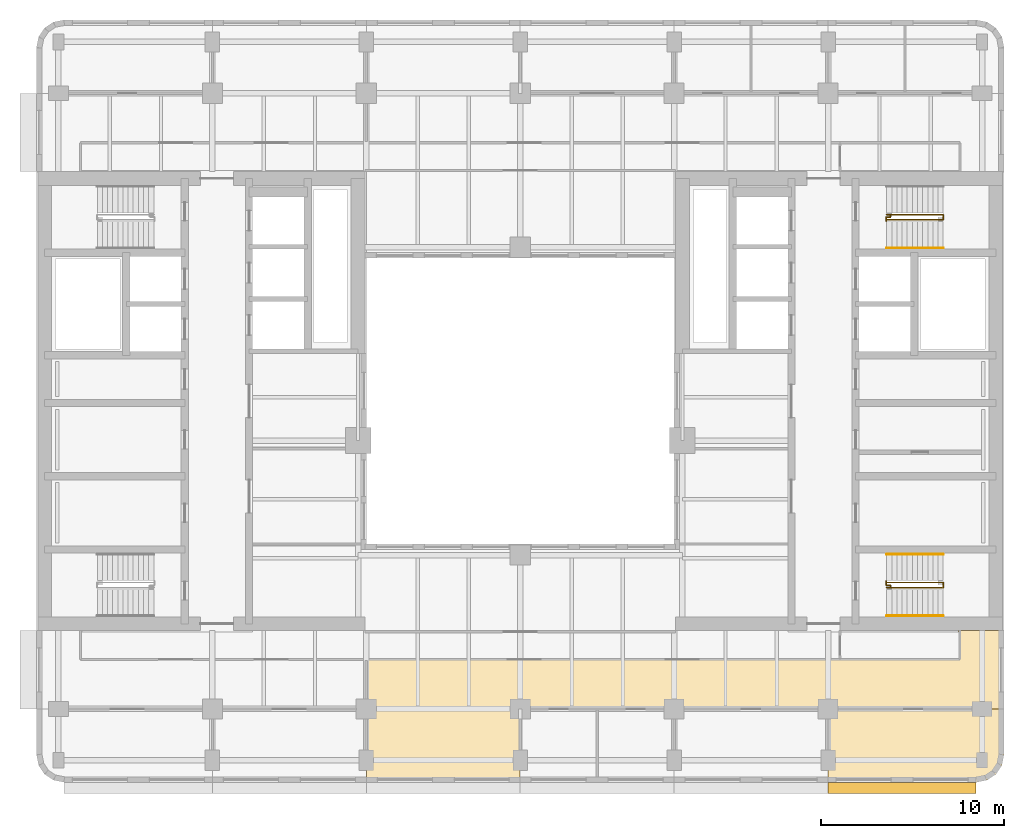
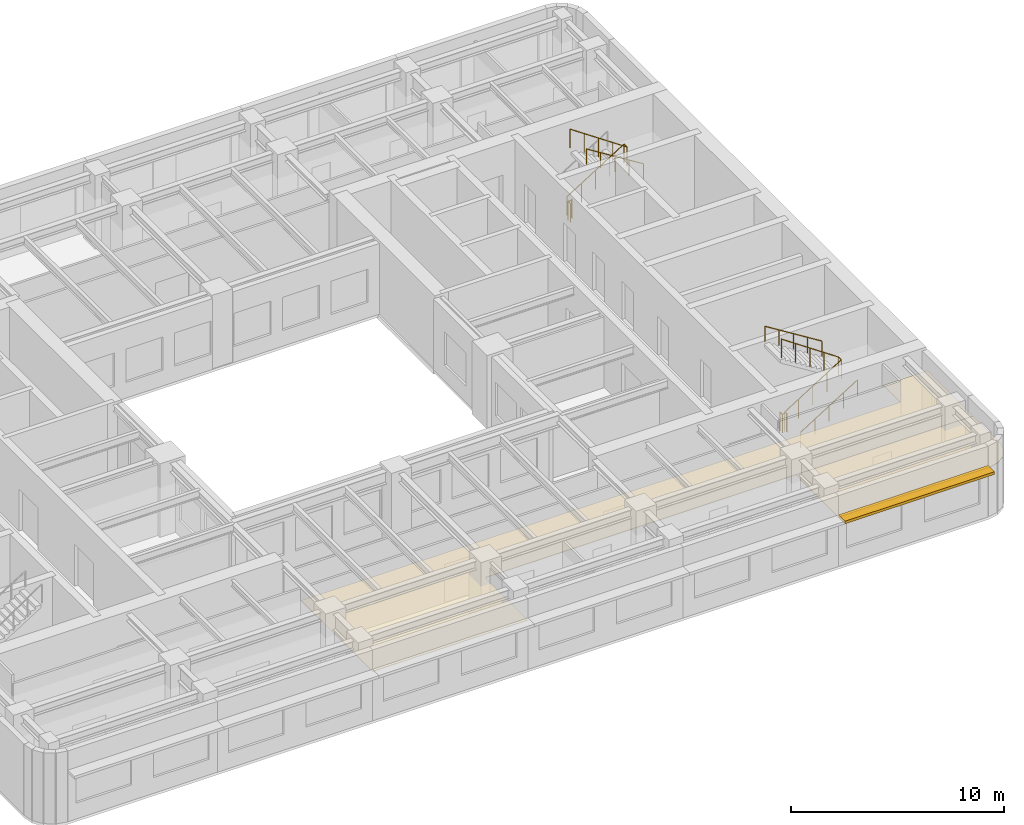
# One storey, part 10 of 11: 7 railings, 2 coverings, 1 shading device.
"""IFC4 building model written with IfcOpenShell, lengths in metres."""

from ifc_helpers import new_model, si_unit, direction, frame, origin, origin_2d, place, context, subcontext, project, spatial, polyline, rectangle, circle, outline, extrude, material, layer, layer_set, type_object, element, save


model = new_model("IFC4")

# Units and contexts
model_context = context("Model", 3, precision=1e-05, world=origin(), true_north=direction((0.0, 1.0)))
body_context = subcontext(model_context, "Body", "Model", "MODEL_VIEW")
ifc_project = project(units=[si_unit("LENGTHUNIT", "METRE"), si_unit("AREAUNIT", "SQUARE_METRE"), si_unit("VOLUMEUNIT", "CUBIC_METRE"), si_unit("PLANEANGLEUNIT", "RADIAN"), si_unit("MASSUNIT", "GRAM", prefix="KILO")], contexts=[model_context])

# Site, building, storey
site_placement = place(None, origin())
site = spatial("IfcSite", under=ifc_project, at=site_placement, CompositionType="ELEMENT")
building_placement = place(site_placement, origin())
building = spatial("IfcBuilding", under=site, at=building_placement, Name="Claustro Exchange Tower", CompositionType="ELEMENT")
storey_placement = place(building_placement, frame((0.0, 0.0, 236.39990234375)))
storey = spatial("IfcBuildingStorey", under=building, at=storey_placement, Name="L54", CompositionType="ELEMENT", Elevation=236.39990234375)

# Coverings
ifc_material_1 = material(Name="Gypsum board ceiling", Category="gypsum board")
ifc_layer_1 = layer(ifc_material_1, 0.02490234375)
ifc_layer_set_1 = layer_set([ifc_layer_1], Name="Gypsum board ceiling")
covering_type = type_object("IfcCoveringType", Name="CL2 plasterboard ceiling", PredefinedType="CEILING", material=ifc_layer_set_1)
covering_1_placement = place(storey_placement, frame((0.0, 0.0, 2.800048828125)))
element("IfcCovering", 1, at=covering_1_placement, inside=storey, type_object=covering_type, Name="Ceiling CL2 L54-06", PredefinedType="CEILING", context=body_context, shape_type="SweptSolid", body=[
    extrude(outline(polyline([(51.60009765625, 5.89990234375), (51.60009765625, 8.39990234375), (42.0, 8.39990234375), (42.0, 4.39990234375), (50.10009765625, 4.39990234375), (50.674072265625, 4.51416015625), (51.16064453125, 4.83935546875), (51.48583984375, 5.325927734375), (51.60009765625, 5.89990234375)])), origin(), (0.0, 0.0, 1.0), 0.025146484375),
])
covering_2_placement = place(storey_placement, frame((0.0, 0.0, 2.800048828125)))
element("IfcCovering", 2, at=covering_2_placement, inside=storey, type_object=covering_type, Name="Ceiling CL2 L54-07", PredefinedType="CEILING", context=body_context, shape_type="SweptSolid", body=[
    extrude(outline(polyline([(51.60009765625, 8.39990234375), (51.60009765625, 12.695068359375), (51.52490234375, 12.695068359375), (51.52490234375, 12.675048828125), (49.10498046875, 12.675048828125), (49.10498046875, 12.60009765625), (49.199951171875, 12.60009765625), (49.199951171875, 11.10009765625), (16.800048828125, 11.10009765625), (16.800048828125, 4.39990234375), (25.199951171875, 4.39990234375), (25.199951171875, 8.39990234375), (51.60009765625, 8.39990234375)])), origin(), (0.0, 0.0, 1.0), 0.025146484375),
])

# Railings
ifc_material_2 = material(Name="Steel balustrade, painted", Category="steel")
railing_type_1 = type_object("IfcRailingType", Name="GR2 1100 steel stair guard", PredefinedType="GUARDRAIL", material=ifc_material_2)
railing_1_placement = place(storey_placement, frame((45.199951171875, 15.02490234375, 0.175048828125)))
element("IfcRailing", 3, at=railing_1_placement, inside=storey, type_object=railing_type_1, Name="Stair well guard GR2 stair STEA L54", PredefinedType="GUARDRAIL", context=body_context, shape_type="SweptSolid", body=[
    extrude(circle(Radius=0.02392578125, at=origin_2d()), frame((0.0, 0.0, 1.076171875), z_axis=(0.847998304005, 0.0, 0.529998940003), x_axis=(0.0, 1.0, 0.0)), (0.0, 0.0, 1.0), 3.632080078125),
    extrude(circle(Radius=0.02392578125, at=origin_2d()), frame((3.080078125, 0.0, 3.0009765625), z_axis=(0.0, 1.0, 0.0), x_axis=(-1.0, 0.0, 0.0)), (0.0, 0.0, 1.0), 0.275146484375),
    extrude(circle(Radius=0.02392578125, at=origin_2d()), frame((3.080078125, 0.275146484375, 3.0009765625), z_axis=(-0.826221800596, 0.0, 0.563344953133), x_axis=(0.0, -1.0, 0.0)), (0.0, 0.0, 1.0), 3.72802734375),
    extrude(circle(Radius=0.02099609375, at=origin_2d()), origin(), (0.0, 0.0, 1.0), 1.052001953125),
    extrude(circle(Radius=0.02099609375, at=origin_2d()), frame((0.77001953125, 0.0, 0.481201171875)), (0.0, 0.0, 1.0), 1.052001953125),
    extrude(circle(Radius=0.02099609375, at=origin_2d()), frame((1.5400390625, 0.0, 0.96240234375)), (0.0, 0.0, 1.0), 1.052001953125),
    extrude(circle(Radius=0.02099609375, at=origin_2d()), frame((2.31005859375, 0.0, 1.44384765625)), (0.0, 0.0, 1.0), 1.052001953125),
    extrude(circle(Radius=0.02099609375, at=origin_2d()), frame((3.080078125, 0.0, 1.925048828125)), (0.0, 0.0, 1.0), 1.052001953125),
    extrude(circle(Radius=0.02099609375, at=origin_2d()), frame((3.080078125, 0.275146484375, 1.925048828125)), (0.0, 0.0, 1.0), 1.052001953125),
    extrude(circle(Radius=0.02099609375, at=origin_2d()), frame((2.31005859375, 0.275146484375, 2.4501953125)), (0.0, 0.0, 1.0), 1.052001953125),
    extrude(circle(Radius=0.02099609375, at=origin_2d()), frame((1.5400390625, 0.275146484375, 2.97509765625)), (0.0, 0.0, 1.0), 1.052001953125),
    extrude(circle(Radius=0.02099609375, at=origin_2d()), frame((0.77001953125, 0.275146484375, 3.5)), (0.0, 0.0, 1.0), 1.052001953125),
    extrude(circle(Radius=0.02099609375, at=origin_2d()), frame((0.0, 0.275146484375, 4.025146484375)), (0.0, 0.0, 1.0), 1.052001953125),
])
railing_2_placement = place(storey_placement, frame((45.39990234375, 15.094970703125, 0.0)))
element("IfcRailing", 4, at=railing_2_placement, inside=storey, type_object=railing_type_1, Name="Stair guard GR2 STEA L54", PredefinedType="GUARDRAIL", context=body_context, shape_type="SweptSolid", body=[
    extrude(circle(Radius=0.02392578125, at=origin_2d()), frame((0.0, 0.0, 1.076171875), z_axis=(0.0, 1.0, 0.0), x_axis=(-1.0, 0.0, 0.0)), (0.0, 0.0, 1.0), 0.067626953125),
    extrude(circle(Radius=0.02392578125, at=origin_2d()), frame((0.0, 0.067626953125, 1.076171875), z_axis=(-1.0, 0.0, 0.0), x_axis=(0.0, -1.0, 0.0)), (0.0, 0.0, 1.0), 0.224853515625),
    extrude(circle(Radius=0.02392578125, at=origin_2d()), frame((-0.224853515625, 0.067626953125, 1.076171875), z_axis=(0.0, 1.0, 0.0), x_axis=(-1.0, 0.0, 0.0)), (0.0, 0.0, 1.0), 0.21728515625),
    extrude(circle(Radius=0.02099609375, at=origin_2d()), origin(), (0.0, 0.0, 1.0), 1.052001953125),
    extrude(circle(Radius=0.02099609375, at=origin_2d()), frame((0.0, 0.067626953125, 0.0)), (0.0, 0.0, 1.0), 1.052001953125),
    extrude(circle(Radius=0.02099609375, at=origin_2d()), frame((-0.224853515625, 0.067626953125, 0.0)), (0.0, 0.0, 1.0), 1.052001953125),
    extrude(circle(Radius=0.02099609375, at=origin_2d()), frame((-0.224853515625, 0.284912109375, 0.0)), (0.0, 0.0, 1.0), 1.052001953125),
])
railing_3_placement = place(storey_placement, frame((45.199951171875, 35.375, 0.175048828125)))
element("IfcRailing", 5, at=railing_3_placement, inside=storey, type_object=railing_type_1, Name="Stair well guard GR2 stair STEB L54", PredefinedType="GUARDRAIL", context=body_context, shape_type="SweptSolid", body=[
    extrude(circle(Radius=0.02392578125, at=origin_2d()), frame((0.0, 0.0, 1.076171875), z_axis=(0.847998304005, 0.0, 0.529998940003), x_axis=(0.0, 1.0, 0.0)), (0.0, 0.0, 1.0), 3.632080078125),
    extrude(circle(Radius=0.02392578125, at=origin_2d()), frame((3.080078125, 0.0, 3.0009765625), z_axis=(0.0, -1.0, 0.0), x_axis=(1.0, 0.0, 0.0)), (0.0, 0.0, 1.0), 0.27490234375),
    extrude(circle(Radius=0.02392578125, at=origin_2d()), frame((3.080078125, -0.27490234375, 3.0009765625), z_axis=(-0.826221800596, 0.0, 0.563344953133), x_axis=(0.0, -1.0, 0.0)), (0.0, 0.0, 1.0), 3.72802734375),
    extrude(circle(Radius=0.02099609375, at=origin_2d()), origin(), (0.0, 0.0, 1.0), 1.052001953125),
    extrude(circle(Radius=0.02099609375, at=origin_2d()), frame((0.77001953125, 0.0, 0.481201171875)), (0.0, 0.0, 1.0), 1.052001953125),
    extrude(circle(Radius=0.02099609375, at=origin_2d()), frame((1.5400390625, 0.0, 0.96240234375)), (0.0, 0.0, 1.0), 1.052001953125),
    extrude(circle(Radius=0.02099609375, at=origin_2d()), frame((2.31005859375, 0.0, 1.44384765625)), (0.0, 0.0, 1.0), 1.052001953125),
    extrude(circle(Radius=0.02099609375, at=origin_2d()), frame((3.080078125, 0.0, 1.925048828125)), (0.0, 0.0, 1.0), 1.052001953125),
    extrude(circle(Radius=0.02099609375, at=origin_2d()), frame((3.080078125, -0.27490234375, 1.925048828125)), (0.0, 0.0, 1.0), 1.052001953125),
    extrude(circle(Radius=0.02099609375, at=origin_2d()), frame((2.31005859375, -0.27490234375, 2.4501953125)), (0.0, 0.0, 1.0), 1.052001953125),
    extrude(circle(Radius=0.02099609375, at=origin_2d()), frame((1.5400390625, -0.27490234375, 2.97509765625)), (0.0, 0.0, 1.0), 1.052001953125),
    extrude(circle(Radius=0.02099609375, at=origin_2d()), frame((0.77001953125, -0.27490234375, 3.5)), (0.0, 0.0, 1.0), 1.052001953125),
    extrude(circle(Radius=0.02099609375, at=origin_2d()), frame((0.0, -0.27490234375, 4.025146484375)), (0.0, 0.0, 1.0), 1.052001953125),
])
railing_4_placement = place(storey_placement, frame((45.39990234375, 35.304931640625, 0.0)))
element("IfcRailing", 6, at=railing_4_placement, inside=storey, type_object=railing_type_1, Name="Stair guard GR2 STEB L54", PredefinedType="GUARDRAIL", context=body_context, shape_type="SweptSolid", body=[
    extrude(circle(Radius=0.02392578125, at=origin_2d()), frame((0.0, 0.0, 1.076171875), z_axis=(0.0, -1.0, 0.0), x_axis=(1.0, 0.0, 0.0)), (0.0, 0.0, 1.0), 0.0673828125),
    extrude(circle(Radius=0.02392578125, at=origin_2d()), frame((0.0, -0.0673828125, 1.076171875), z_axis=(-1.0, 0.0, 0.0), x_axis=(0.0, -1.0, 0.0)), (0.0, 0.0, 1.0), 0.224853515625),
    extrude(circle(Radius=0.02392578125, at=origin_2d()), frame((-0.224853515625, -0.0673828125, 1.076171875), z_axis=(0.0, -1.0, 0.0), x_axis=(1.0, 0.0, 0.0)), (0.0, 0.0, 1.0), 0.217529296875),
    extrude(circle(Radius=0.02099609375, at=origin_2d()), origin(), (0.0, 0.0, 1.0), 1.052001953125),
    extrude(circle(Radius=0.02099609375, at=origin_2d()), frame((0.0, -0.0673828125, 0.0)), (0.0, 0.0, 1.0), 1.052001953125),
    extrude(circle(Radius=0.02099609375, at=origin_2d()), frame((-0.224853515625, -0.0673828125, 0.0)), (0.0, 0.0, 1.0), 1.052001953125),
    extrude(circle(Radius=0.02099609375, at=origin_2d()), frame((-0.224853515625, -0.284912109375, 0.0)), (0.0, 0.0, 1.0), 1.052001953125),
])
ifc_material_3 = material(Name="Stainless steel tube", Category="steel")
railing_type_2 = type_object("IfcRailingType", Name="HR1 900 stair handrail", PredefinedType="HANDRAIL", material=ifc_material_3)
railing_5_placement = place(storey_placement, frame((45.199951171875, 13.485107421875, 0.175048828125)))
element("IfcRailing", 7, at=railing_5_placement, inside=storey, type_object=railing_type_2, Name="Handrail HR1 stair STEA L54", PredefinedType="HANDRAIL", context=body_context, shape_type="SweptSolid", body=[
    extrude(circle(Radius=0.02392578125, at=origin_2d()), frame((0.0, 0.0, 0.8759765625), z_axis=(0.847998304005, 0.0, 0.529998940003), x_axis=(0.0, 1.0, 0.0)), (0.0, 0.0, 1.0), 3.632080078125),
    extrude(circle(Radius=0.02099609375, at=origin_2d()), origin(), (0.0, 0.0, 1.0), 0.851806640625),
    extrude(circle(Radius=0.02099609375, at=origin_2d()), frame((0.77001953125, 0.0, 0.481201171875)), (0.0, 0.0, 1.0), 0.851806640625),
    extrude(circle(Radius=0.02099609375, at=origin_2d()), frame((1.5400390625, 0.0, 0.96240234375)), (0.0, 0.0, 1.0), 0.851806640625),
    extrude(circle(Radius=0.02099609375, at=origin_2d()), frame((2.31005859375, 0.0, 1.44384765625)), (0.0, 0.0, 1.0), 0.851806640625),
    extrude(circle(Radius=0.02099609375, at=origin_2d()), frame((3.080078125, 0.0, 1.925048828125)), (0.0, 0.0, 1.0), 0.851806640625),
])
for number, where, name in (
    (8, (48.280029296875, 16.840087890625, 2.275146484375), "Handrail HR1 stair STEA L54"),
    (9, (48.280029296875, 33.56005859375, 2.275146484375), "Handrail HR1 stair STEB L54"),
):
    element("IfcRailing", number, at=place(storey_placement, frame(where)), inside=storey, type_object=railing_type_2, Name=name, PredefinedType="HANDRAIL", context=body_context, shape_type="SweptSolid", body=[
        extrude(circle(Radius=0.02392578125, at=origin_2d()), frame((0.0, 0.0, 0.8759765625), z_axis=(-0.847998304005, 0.0, 0.529998940003), x_axis=(0.0, -1.0, 0.0)), (0.0, 0.0, 1.0), 3.632080078125),
        extrude(circle(Radius=0.02099609375, at=origin_2d()), origin(), (0.0, 0.0, 1.0), 0.851806640625),
        extrude(circle(Radius=0.02099609375, at=origin_2d()), frame((-0.77001953125, 0.0, 0.481201171875)), (0.0, 0.0, 1.0), 0.851806640625),
        extrude(circle(Radius=0.02099609375, at=origin_2d()), frame((-1.5400390625, 0.0, 0.96240234375)), (0.0, 0.0, 1.0), 0.851806640625),
        extrude(circle(Radius=0.02099609375, at=origin_2d()), frame((-2.31005859375, 0.0, 1.44384765625)), (0.0, 0.0, 1.0), 0.851806640625),
        extrude(circle(Radius=0.02099609375, at=origin_2d()), frame((-3.080078125, 0.0, 1.925048828125)), (0.0, 0.0, 1.0), 0.851806640625),
    ])

# Shading device
ifc_material_4 = material(Name="Concrete HA-40 (C40/50), precast, white cement, acid-etched", Category="concrete")
ifc_layer_2 = layer(ifc_material_4, 0.14990234375)
ifc_layer_set_2 = layer_set([ifc_layer_2], Name="Concrete HA-40 (C40/50), precast, white cement, acid-etched")
shading_device_type = type_object("IfcShadingDeviceType", Name="SS1 600 precast concrete SUNSHADE", PredefinedType="SHUTTER", material=ifc_layer_set_2)
shading_device_placement = place(storey_placement, frame((46.04248046875, 4.10009765625, 2.800048828125), z_axis=(0.0, 0.0, 1.0), x_axis=(-1.0, 0.0, 0.0)))
element("IfcShadingDevice", 10, at=shading_device_placement, inside=storey, type_object=shading_device_type, Name="Precast SUNSHADE SS1 L54", PredefinedType="SHUTTER", context=body_context, shape_type="SweptSolid", body=[
    extrude(rectangle(XDim=8.085205078125, YDim=0.60009765625, at=origin_2d()), origin(), (0.0, 0.0, 1.0), 0.14990234375),
])

save(model, "model.ifc")
